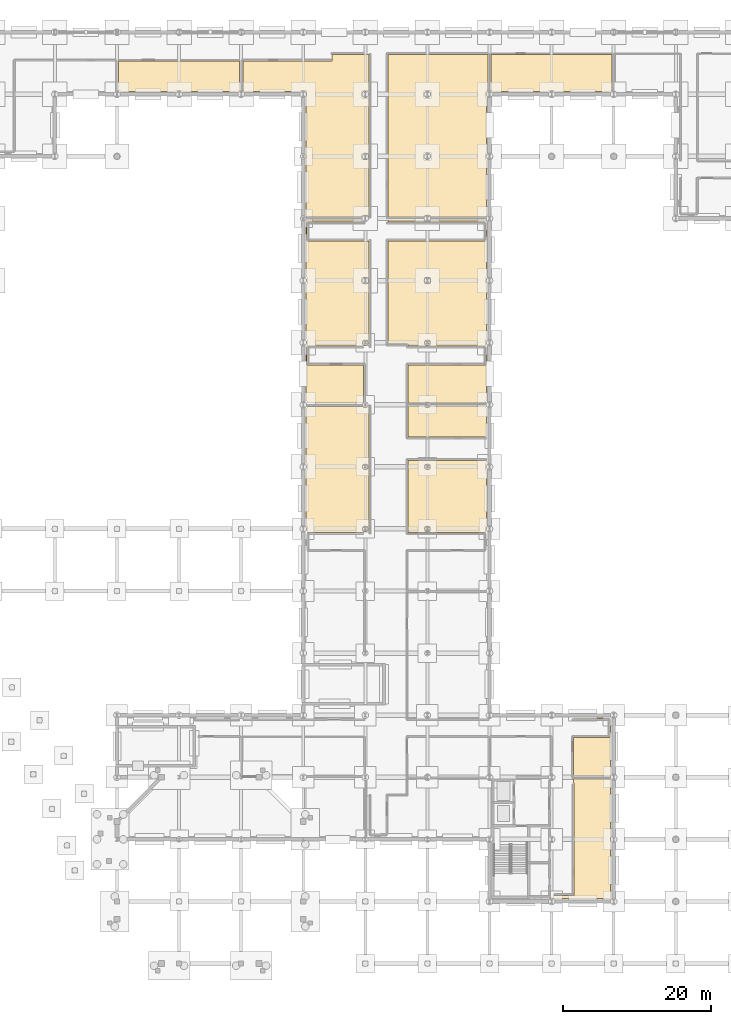
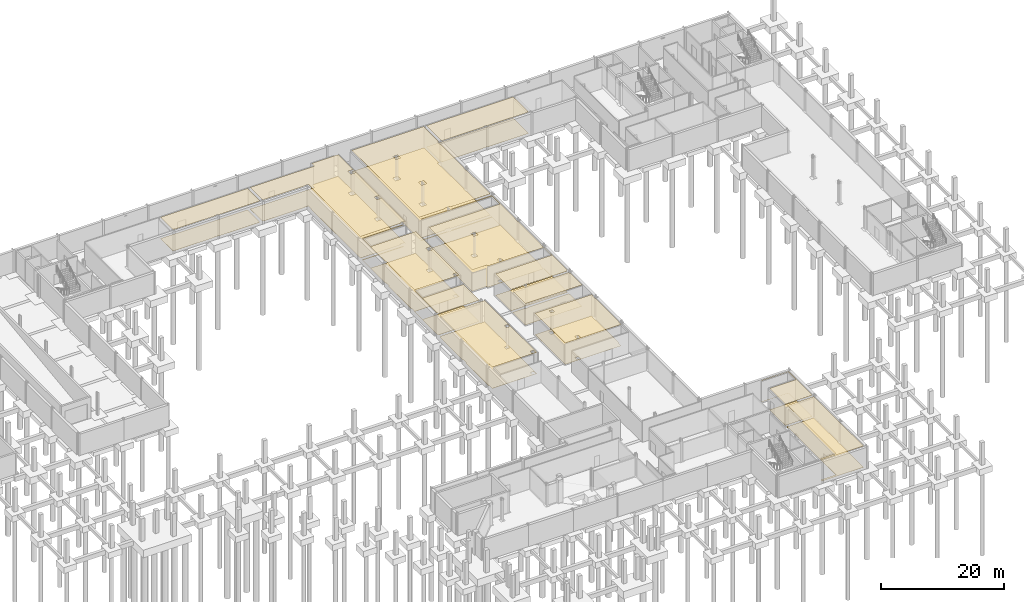
# One storey, part 39 of 43: 26 coverings.
"""IFC4 building model written with IfcOpenShell, lengths in metres."""

from ifc_helpers import new_model, si_unit, direction, frame, origin, place, context, subcontext, project, spatial, polyline, outline, extrude, material, layer, layer_set, type_object, element, save


model = new_model("IFC4")

# Units and contexts
model_context = context("Model", 3, precision=1e-05, world=origin(), true_north=direction((0.0, 1.0)))
body_context = subcontext(model_context, "Body", "Model", "MODEL_VIEW")
ifc_project = project(units=[si_unit("LENGTHUNIT", "METRE"), si_unit("AREAUNIT", "SQUARE_METRE"), si_unit("VOLUMEUNIT", "CUBIC_METRE"), si_unit("PLANEANGLEUNIT", "RADIAN"), si_unit("MASSUNIT", "GRAM", prefix="KILO")], contexts=[model_context])

# Site, building, storey
site_placement = place(None, origin())
site = spatial("IfcSite", under=ifc_project, at=site_placement, CompositionType="ELEMENT")
building_placement = place(site_placement, origin())
building = spatial("IfcBuilding", under=site, at=building_placement, Name="Mersafa Astral City Hall", CompositionType="ELEMENT")
storey_placement = place(building_placement, frame((0.0, 0.0, -4.5)))
storey = spatial("IfcBuildingStorey", under=building, at=storey_placement, Name="B1", CompositionType="ELEMENT", Elevation=-4.5)

# Coverings
ifc_material_1 = material(Name="Perforated acoustic gypsum board ceiling", Category="gypsum")
ifc_layer_1 = layer(ifc_material_1, 0.02490234375, Name="Perforated acoustic gypsum board ceiling")
ifc_layer_set_1 = layer_set([ifc_layer_1], Name="Perforated acoustic gypsum board ceiling — INT-COV-CEIL-25")
covering_type_1 = type_object("IfcCoveringType", Name="INT-COV-CEIL-25", PredefinedType="CEILING", material=ifc_layer_set_1)
covering_1_placement = place(storey_placement, frame((0.0, 0.0, 4.23095703125)))
element("IfcCovering", 1, at=covering_1_placement, inside=storey, type_object=covering_type_1, Name="B1 Central Archive Stack B1-01 acoustic ceiling", PredefinedType="CEILING", context=body_context, shape_type="SweptSolid", body=[
    extrude(outline(polyline([(117.179931640625, 101.219970703125), (117.179931640625, 101.030029296875), (109.6201171875, 101.030029296875), (109.6201171875, 101.219970703125), (108.780029296875, 101.219970703125), (108.780029296875, 101.030029296875), (103.840087890625, 101.030029296875), (103.840087890625, 122.9599609375), (117.3701171875, 122.9599609375), (117.3701171875, 118.070068359375), (117.1298828125, 118.070068359375), (117.1298828125, 117.1298828125), (117.199951171875, 117.1298828125), (117.199951171875, 109.669921875), (117.1298828125, 109.669921875), (117.1298828125, 108.72998046875), (117.199951171875, 108.72998046875), (117.199951171875, 101.219970703125), (117.179931640625, 101.219970703125)]), holes=[polyline([(108.72998046875, 108.72998046875), (109.669921875, 108.72998046875), (109.669921875, 109.669921875), (108.72998046875, 109.669921875), (108.72998046875, 108.72998046875)]), polyline([(108.72998046875, 117.1298828125), (109.669921875, 117.1298828125), (109.669921875, 118.070068359375), (108.72998046875, 118.070068359375), (108.72998046875, 117.1298828125)])]), origin(), (0.0, 0.0, 1.0), 0.025146484375),
])
covering_2_placement = place(storey_placement, frame((0.0, 0.0, 4.23095703125)))
element("IfcCovering", 2, at=covering_2_placement, inside=storey, type_object=covering_type_1, Name="B1 Compact Shelving Vault B1-02 acoustic ceiling", PredefinedType="CEILING", context=body_context, shape_type="SweptSolid", body=[
    extrude(outline(polyline([(106.570068359375, 75.830078125), (106.570068359375, 80.9599609375), (117.1201171875, 80.9599609375), (117.1201171875, 83.5048828125), (117.199951171875, 83.5048828125), (117.199951171875, 76.094970703125), (117.10498046875, 76.094970703125), (117.10498046875, 75.830078125), (109.52001953125, 75.830078125), (109.52001953125, 75.919921875), (108.8798828125, 75.919921875), (108.8798828125, 75.830078125), (106.570068359375, 75.830078125)])), origin(), (0.0, 0.0, 1.0), 0.025146484375),
])
covering_3_placement = place(storey_placement, frame((0.0, 0.0, 4.23095703125)))
element("IfcCovering", 3, at=covering_3_placement, inside=storey, type_object=covering_type_1, Name="B1 Compact Shelving Vault B1-02 acoustic ceiling", PredefinedType="CEILING", context=body_context, shape_type="SweptSolid", body=[
    extrude(outline(polyline([(106.570068359375, 83.52001953125), (106.570068359375, 83.81005859375), (103.840087890625, 83.81005859375), (103.840087890625, 97.760009765625), (117.1201171875, 97.760009765625), (117.1201171875, 100.320068359375), (103.840087890625, 100.320068359375), (103.840087890625, 100.570068359375), (108.780029296875, 100.570068359375), (108.780029296875, 100.3798828125), (109.6201171875, 100.3798828125), (109.6201171875, 100.570068359375), (117.179931640625, 100.570068359375), (117.179931640625, 100.3798828125), (117.199951171875, 100.3798828125), (117.199951171875, 92.89501953125), (117.10498046875, 92.89501953125), (117.10498046875, 91.905029296875), (117.199951171875, 91.905029296875), (117.199951171875, 84.4951171875), (117.10498046875, 84.4951171875), (117.10498046875, 83.52001953125), (106.570068359375, 83.52001953125)]), holes=[polyline([(108.780029296875, 91.97998046875), (109.6201171875, 91.97998046875), (109.6201171875, 92.820068359375), (108.780029296875, 92.820068359375), (108.780029296875, 91.97998046875)]), polyline([(108.8798828125, 83.679931640625), (109.52001953125, 83.679931640625), (109.52001953125, 84.320068359375), (108.8798828125, 84.320068359375), (108.8798828125, 83.679931640625)])]), origin(), (0.0, 0.0, 1.0), 0.025146484375),
])
covering_4_placement = place(storey_placement, frame((0.0, 0.0, 4.281005859375)))
element("IfcCovering", 4, at=covering_4_placement, inside=storey, type_object=covering_type_1, Name="B1 Municipal Deeds Repository B1-03 acoustic ceiling", PredefinedType="CEILING", context=body_context, shape_type="SweptSolid", body=[
    extrude(outline(polyline([(84.469970703125, 118.070068359375), (84.22998046875, 118.070068359375), (84.22998046875, 122.080078125), (96.320068359375, 122.080078125), (96.320068359375, 122.9599609375), (101.280029296875, 122.9599609375), (101.280029296875, 101.030029296875), (101.219970703125, 101.030029296875), (101.219970703125, 101.219970703125), (100.3798828125, 101.219970703125), (100.3798828125, 101.030029296875), (92.800048828125, 101.030029296875), (92.800048828125, 117.1298828125), (92.8701171875, 117.1298828125), (92.8701171875, 118.070068359375), (91.929931640625, 118.070068359375), (91.929931640625, 118.0), (84.469970703125, 118.0), (84.469970703125, 118.070068359375)]), holes=[polyline([(100.330078125, 117.1298828125), (101.27001953125, 117.1298828125), (101.27001953125, 118.070068359375), (100.330078125, 118.070068359375), (100.330078125, 117.1298828125)]), polyline([(100.3798828125, 108.780029296875), (101.219970703125, 108.780029296875), (101.219970703125, 109.6201171875), (100.3798828125, 109.6201171875), (100.3798828125, 108.780029296875)])]), origin(), (0.0, 0.0, 1.0), 0.02490234375),
])
covering_5_placement = place(storey_placement, frame((0.0, 0.0, 4.23095703125)))
element("IfcCovering", 5, at=covering_5_placement, inside=storey, type_object=covering_type_1, Name="B1 Mechanical Chiller Plant Room B1-05 acoustic ceiling", PredefinedType="CEILING", context=body_context, shape_type="SweptSolid", body=[
    extrude(outline(polyline([(92.89501953125, 59.294921875), (92.800048828125, 59.294921875), (92.800048828125, 66.705078125), (92.89501953125, 66.705078125), (92.89501953125, 67.695068359375), (92.800048828125, 67.695068359375), (92.800048828125, 75.10498046875), (92.89501953125, 75.10498046875), (92.89501953125, 75.3701171875), (100.47998046875, 75.3701171875), (100.47998046875, 75.280029296875), (101.1201171875, 75.280029296875), (101.1201171875, 75.3701171875), (101.280029296875, 75.3701171875), (101.280029296875, 58.320068359375), (92.89501953125, 58.320068359375), (92.89501953125, 59.294921875)]), holes=[polyline([(100.47998046875, 58.47998046875), (101.1201171875, 58.47998046875), (101.1201171875, 59.1201171875), (100.47998046875, 59.1201171875), (100.47998046875, 58.47998046875)]), polyline([(100.47998046875, 66.8798828125), (101.1201171875, 66.8798828125), (101.1201171875, 67.52001953125), (100.47998046875, 67.52001953125), (100.47998046875, 66.8798828125)])]), origin(), (0.0, 0.0, 1.0), 0.025146484375),
])
covering_6_placement = place(storey_placement, frame((0.0, 0.0, 4.23095703125)))
element("IfcCovering", 6, at=covering_6_placement, inside=storey, type_object=covering_type_1, Name="B1 Electrical Substation Room B1-06 acoustic ceiling", PredefinedType="CEILING", context=body_context, shape_type="SweptSolid", body=[
    extrude(outline(polyline([(106.570068359375, 58.320068359375), (106.570068359375, 68.070068359375), (117.199951171875, 68.070068359375), (117.199951171875, 67.695068359375), (117.10498046875, 67.695068359375), (117.10498046875, 66.705078125), (117.199951171875, 66.705078125), (117.199951171875, 59.294921875), (117.10498046875, 59.294921875), (117.10498046875, 58.320068359375), (106.570068359375, 58.320068359375)]), holes=[polyline([(108.8798828125, 58.47998046875), (109.52001953125, 58.47998046875), (109.52001953125, 59.1201171875), (108.8798828125, 59.1201171875), (108.8798828125, 58.47998046875)]), polyline([(108.8798828125, 66.8798828125), (109.52001953125, 66.8798828125), (109.52001953125, 67.52001953125), (108.8798828125, 67.52001953125), (108.8798828125, 66.8798828125)])]), origin(), (0.0, 0.0, 1.0), 0.025146484375),
])
covering_7_placement = place(storey_placement, frame((0.0, 0.0, 4.23095703125)))
element("IfcCovering", 7, at=covering_7_placement, inside=storey, type_object=covering_type_1, Name="B1 Fire Pump Room B1-07 acoustic ceiling", PredefinedType="CEILING", context=body_context, shape_type="SweptSolid", body=[
    extrude(outline(polyline([(92.800048828125, 83.5048828125), (92.8798828125, 83.5048828125), (92.8798828125, 80.9599609375), (100.570068359375, 80.9599609375), (100.570068359375, 75.919921875), (100.47998046875, 75.919921875), (100.47998046875, 75.830078125), (92.89501953125, 75.830078125), (92.89501953125, 76.094970703125), (92.800048828125, 76.094970703125), (92.800048828125, 83.5048828125)])), origin(), (0.0, 0.0, 1.0), 0.025146484375),
])
covering_8_placement = place(storey_placement, frame((0.0, 0.0, 4.281005859375)))
element("IfcCovering", 8, at=covering_8_placement, inside=storey, type_object=covering_type_1, Name="B1 Fire Pump Room B1-07 acoustic ceiling", PredefinedType="CEILING", context=body_context, shape_type="SweptSolid", body=[
    extrude(outline(polyline([(92.89501953125, 84.4951171875), (92.800048828125, 84.4951171875), (92.800048828125, 91.905029296875), (92.89501953125, 91.905029296875), (92.89501953125, 92.89501953125), (92.800048828125, 92.89501953125), (92.800048828125, 100.570068359375), (100.3798828125, 100.570068359375), (100.3798828125, 100.3798828125), (100.570068359375, 100.3798828125), (100.570068359375, 100.320068359375), (92.8798828125, 100.320068359375), (92.8798828125, 97.760009765625), (101.280029296875, 97.760009765625), (101.280029296875, 83.52001953125), (92.89501953125, 83.52001953125), (92.89501953125, 84.4951171875)]), holes=[polyline([(100.3798828125, 92.820068359375), (100.3798828125, 91.97998046875), (101.219970703125, 91.97998046875), (101.219970703125, 92.820068359375), (100.3798828125, 92.820068359375)]), polyline([(100.47998046875, 83.679931640625), (101.1201171875, 83.679931640625), (101.1201171875, 84.320068359375), (100.47998046875, 84.320068359375), (100.47998046875, 83.679931640625)])]), origin(), (0.0, 0.0, 1.0), 0.02490234375),
])
covering_9_placement = place(storey_placement, frame((0.0, 0.0, 4.23095703125)))
element("IfcCovering", 9, at=covering_9_placement, inside=storey, type_object=covering_type_1, Name="B1 Municipal Records Conservation Workshop B1-11 acoustic ceiling", PredefinedType="CEILING", context=body_context, shape_type="SweptSolid", body=[
    extrude(outline(polyline([(126.419921875, 8.820068359375), (126.159912109375, 8.820068359375), (126.159912109375, 9.179931640625), (129.0400390625, 9.179931640625), (129.0400390625, 24.419921875), (128.93994140625, 24.419921875), (128.93994140625, 24.969970703125), (133.97998046875, 24.969970703125), (133.97998046875, 24.780029296875), (134.0, 24.780029296875), (134.0, 17.219970703125), (133.97998046875, 17.219970703125), (133.97998046875, 16.3798828125), (134.0, 16.3798828125), (134.0, 8.820068359375), (133.97998046875, 8.820068359375), (133.97998046875, 8.800048828125), (126.419921875, 8.800048828125), (126.419921875, 8.820068359375)])), origin(), (0.0, 0.0, 1.0), 0.025146484375),
])
covering_10_placement = place(storey_placement, frame((0.0, 0.0, 4.23095703125)))
element("IfcCovering", 10, at=covering_10_placement, inside=storey, type_object=covering_type_1, Name="B1 Central Mail & Courier Sorting Room B1-12 acoustic ceiling", PredefinedType="CEILING", context=body_context, shape_type="SweptSolid", body=[
    extrude(outline(polyline([(134.169921875, 122.9599609375), (134.169921875, 118.070068359375), (133.929931640625, 118.070068359375), (133.929931640625, 118.0), (126.469970703125, 118.0), (126.469970703125, 118.070068359375), (125.530029296875, 118.070068359375), (125.530029296875, 118.0), (118.070068359375, 118.0), (118.070068359375, 118.070068359375), (117.830078125, 118.070068359375), (117.830078125, 122.9599609375), (134.169921875, 122.9599609375)])), origin(), (0.0, 0.0, 1.0), 0.025146484375),
])
covering_11_placement = place(storey_placement, frame((0.0, 0.0, 4.23095703125)))
element("IfcCovering", 11, at=covering_11_placement, inside=storey, type_object=covering_type_1, Name="B1 Logistics Bay B1-16 acoustic ceiling", PredefinedType="CEILING", context=body_context, shape_type="SweptSolid", body=[
    extrude(outline(polyline([(83.77001953125, 122.080078125), (83.77001953125, 118.070068359375), (83.530029296875, 118.070068359375), (83.530029296875, 118.0), (76.070068359375, 118.0), (76.070068359375, 118.070068359375), (75.1298828125, 118.070068359375), (75.1298828125, 118.0), (67.669921875, 118.0), (67.669921875, 118.070068359375), (67.429931640625, 118.070068359375), (67.429931640625, 122.080078125), (83.77001953125, 122.080078125)])), origin(), (0.0, 0.0, 1.0), 0.025146484375),
])
covering_12_placement = place(storey_placement, frame((0.0, 0.0, 4.23095703125)))
element("IfcCovering", 12, at=covering_12_placement, inside=storey, type_object=covering_type_1, Name="B1 Fire Pump Room B1-19 acoustic ceiling", PredefinedType="CEILING", context=body_context, shape_type="SweptSolid", body=[
    extrude(outline(polyline([(106.570068359375, 75.3701171875), (108.8798828125, 75.3701171875), (108.8798828125, 75.280029296875), (109.52001953125, 75.280029296875), (109.52001953125, 75.3701171875), (117.10498046875, 75.3701171875), (117.10498046875, 75.10498046875), (117.199951171875, 75.10498046875), (117.199951171875, 71.2099609375), (106.570068359375, 71.2099609375), (106.570068359375, 75.3701171875)])), origin(), (0.0, 0.0, 1.0), 0.025146484375),
])
covering_13_placement = place(storey_placement, frame((0.0, 0.0, 4.23095703125)))
element("IfcCovering", 13, at=covering_13_placement, inside=storey, type_object=covering_type_1, Name="B1 Municipal Records Conservation Workshop B1-23 acoustic ceiling", PredefinedType="CEILING", context=body_context, shape_type="SweptSolid", body=[
    extrude(outline(polyline([(128.93994140625, 30.56005859375), (133.919921875, 30.56005859375), (133.919921875, 33.1201171875), (128.93994140625, 33.1201171875), (128.93994140625, 33.199951171875), (133.97998046875, 33.199951171875), (133.97998046875, 33.179931640625), (134.0, 33.179931640625), (134.0, 25.6201171875), (133.97998046875, 25.6201171875), (133.97998046875, 25.429931640625), (128.93994140625, 25.429931640625), (128.93994140625, 30.56005859375)])), origin(), (0.0, 0.0, 1.0), 0.025146484375),
])
ifc_material_2 = material(Name="Honed Cairo limestone terrazzo flooring", Category="masonry")
ifc_layer_2 = layer(ifc_material_2, 0.02001953125, Name="Honed Cairo limestone terrazzo flooring")
ifc_layer_set_2 = layer_set([ifc_layer_2], Name="Honed Cairo limestone terrazzo flooring — INT-COV-FLR-20")
covering_type_2 = type_object("IfcCoveringType", Name="INT-COV-FLR-20", PredefinedType="FLOORING", material=ifc_layer_set_2)
covering_14_placement = place(storey_placement, frame((0.0, 0.0, -0.00146484375)))
element("IfcCovering", 14, at=covering_14_placement, inside=storey, type_object=covering_type_2, Name="B1 Central Archive Stack B1-01 architectural flooring", PredefinedType="FLOORING", context=body_context, shape_type="SweptSolid", body=[
    extrude(outline(polyline([(117.179931640625, 101.219970703125), (117.179931640625, 101.030029296875), (109.6201171875, 101.030029296875), (109.6201171875, 101.219970703125), (108.780029296875, 101.219970703125), (108.780029296875, 101.030029296875), (103.840087890625, 101.030029296875), (103.840087890625, 122.9599609375), (117.3701171875, 122.9599609375), (117.3701171875, 118.070068359375), (117.1298828125, 118.070068359375), (117.1298828125, 117.1298828125), (117.199951171875, 117.1298828125), (117.199951171875, 109.669921875), (117.1298828125, 109.669921875), (117.1298828125, 108.72998046875), (117.199951171875, 108.72998046875), (117.199951171875, 101.219970703125), (117.179931640625, 101.219970703125)]), holes=[polyline([(108.72998046875, 108.72998046875), (109.669921875, 108.72998046875), (109.669921875, 109.669921875), (108.72998046875, 109.669921875), (108.72998046875, 108.72998046875)]), polyline([(108.72998046875, 117.1298828125), (109.669921875, 117.1298828125), (109.669921875, 118.070068359375), (108.72998046875, 118.070068359375), (108.72998046875, 117.1298828125)])]), origin(), (0.0, 0.0, 1.0), 0.02001953125),
])
covering_15_placement = place(storey_placement, frame((0.0, 0.0, -0.00146484375)))
element("IfcCovering", 15, at=covering_15_placement, inside=storey, type_object=covering_type_2, Name="B1 Compact Shelving Vault B1-02 architectural flooring", PredefinedType="FLOORING", context=body_context, shape_type="SweptSolid", body=[
    extrude(outline(polyline([(106.570068359375, 75.830078125), (106.570068359375, 80.9599609375), (117.1201171875, 80.9599609375), (117.1201171875, 83.5048828125), (117.199951171875, 83.5048828125), (117.199951171875, 76.094970703125), (117.10498046875, 76.094970703125), (117.10498046875, 75.830078125), (109.52001953125, 75.830078125), (109.52001953125, 75.919921875), (108.8798828125, 75.919921875), (108.8798828125, 75.830078125), (106.570068359375, 75.830078125)])), origin(), (0.0, 0.0, 1.0), 0.02001953125),
])
covering_16_placement = place(storey_placement, frame((0.0, 0.0, -0.00146484375)))
element("IfcCovering", 16, at=covering_16_placement, inside=storey, type_object=covering_type_2, Name="B1 Compact Shelving Vault B1-02 architectural flooring", PredefinedType="FLOORING", context=body_context, shape_type="SweptSolid", body=[
    extrude(outline(polyline([(106.570068359375, 83.52001953125), (106.570068359375, 83.81005859375), (103.840087890625, 83.81005859375), (103.840087890625, 97.760009765625), (117.1201171875, 97.760009765625), (117.1201171875, 100.320068359375), (103.840087890625, 100.320068359375), (103.840087890625, 100.570068359375), (108.780029296875, 100.570068359375), (108.780029296875, 100.3798828125), (109.6201171875, 100.3798828125), (109.6201171875, 100.570068359375), (117.179931640625, 100.570068359375), (117.179931640625, 100.3798828125), (117.199951171875, 100.3798828125), (117.199951171875, 92.89501953125), (117.10498046875, 92.89501953125), (117.10498046875, 91.905029296875), (117.199951171875, 91.905029296875), (117.199951171875, 84.4951171875), (117.10498046875, 84.4951171875), (117.10498046875, 83.52001953125), (106.570068359375, 83.52001953125)]), holes=[polyline([(108.780029296875, 91.97998046875), (109.6201171875, 91.97998046875), (109.6201171875, 92.820068359375), (108.780029296875, 92.820068359375), (108.780029296875, 91.97998046875)]), polyline([(108.8798828125, 83.679931640625), (109.52001953125, 83.679931640625), (109.52001953125, 84.320068359375), (108.8798828125, 84.320068359375), (108.8798828125, 83.679931640625)])]), origin(), (0.0, 0.0, 1.0), 0.02001953125),
])
covering_17_placement = place(storey_placement, frame((0.0, 0.0, -0.00146484375)))
element("IfcCovering", 17, at=covering_17_placement, inside=storey, type_object=covering_type_2, Name="B1 Municipal Deeds Repository B1-03 architectural flooring", PredefinedType="FLOORING", context=body_context, shape_type="SweptSolid", body=[
    extrude(outline(polyline([(84.469970703125, 118.070068359375), (84.22998046875, 118.070068359375), (84.22998046875, 122.080078125), (96.320068359375, 122.080078125), (96.320068359375, 122.9599609375), (101.280029296875, 122.9599609375), (101.280029296875, 101.030029296875), (101.219970703125, 101.030029296875), (101.219970703125, 101.219970703125), (100.3798828125, 101.219970703125), (100.3798828125, 101.030029296875), (92.800048828125, 101.030029296875), (92.800048828125, 117.1298828125), (92.8701171875, 117.1298828125), (92.8701171875, 118.070068359375), (91.929931640625, 118.070068359375), (91.929931640625, 118.0), (84.469970703125, 118.0), (84.469970703125, 118.070068359375)]), holes=[polyline([(100.330078125, 117.1298828125), (101.27001953125, 117.1298828125), (101.27001953125, 118.070068359375), (100.330078125, 118.070068359375), (100.330078125, 117.1298828125)]), polyline([(100.3798828125, 108.780029296875), (101.219970703125, 108.780029296875), (101.219970703125, 109.6201171875), (100.3798828125, 109.6201171875), (100.3798828125, 108.780029296875)])]), origin(), (0.0, 0.0, 1.0), 0.02001953125),
])
covering_18_placement = place(storey_placement, frame((0.0, 0.0, -0.00146484375)))
element("IfcCovering", 18, at=covering_18_placement, inside=storey, type_object=covering_type_2, Name="B1 Mechanical Chiller Plant Room B1-05 architectural flooring", PredefinedType="FLOORING", context=body_context, shape_type="SweptSolid", body=[
    extrude(outline(polyline([(92.89501953125, 59.294921875), (92.800048828125, 59.294921875), (92.800048828125, 66.705078125), (92.89501953125, 66.705078125), (92.89501953125, 67.695068359375), (92.800048828125, 67.695068359375), (92.800048828125, 75.10498046875), (92.89501953125, 75.10498046875), (92.89501953125, 75.3701171875), (100.47998046875, 75.3701171875), (100.47998046875, 75.280029296875), (101.1201171875, 75.280029296875), (101.1201171875, 75.3701171875), (101.280029296875, 75.3701171875), (101.280029296875, 58.320068359375), (92.89501953125, 58.320068359375), (92.89501953125, 59.294921875)]), holes=[polyline([(100.47998046875, 58.47998046875), (101.1201171875, 58.47998046875), (101.1201171875, 59.1201171875), (100.47998046875, 59.1201171875), (100.47998046875, 58.47998046875)]), polyline([(100.47998046875, 66.8798828125), (101.1201171875, 66.8798828125), (101.1201171875, 67.52001953125), (100.47998046875, 67.52001953125), (100.47998046875, 66.8798828125)])]), origin(), (0.0, 0.0, 1.0), 0.02001953125),
])
covering_19_placement = place(storey_placement, frame((0.0, 0.0, -0.00146484375)))
element("IfcCovering", 19, at=covering_19_placement, inside=storey, type_object=covering_type_2, Name="B1 Electrical Substation Room B1-06 architectural flooring", PredefinedType="FLOORING", context=body_context, shape_type="SweptSolid", body=[
    extrude(outline(polyline([(106.570068359375, 58.320068359375), (106.570068359375, 68.070068359375), (117.199951171875, 68.070068359375), (117.199951171875, 67.695068359375), (117.10498046875, 67.695068359375), (117.10498046875, 66.705078125), (117.199951171875, 66.705078125), (117.199951171875, 59.294921875), (117.10498046875, 59.294921875), (117.10498046875, 58.320068359375), (106.570068359375, 58.320068359375)]), holes=[polyline([(108.8798828125, 58.47998046875), (109.52001953125, 58.47998046875), (109.52001953125, 59.1201171875), (108.8798828125, 59.1201171875), (108.8798828125, 58.47998046875)]), polyline([(108.8798828125, 66.8798828125), (109.52001953125, 66.8798828125), (109.52001953125, 67.52001953125), (108.8798828125, 67.52001953125), (108.8798828125, 66.8798828125)])]), origin(), (0.0, 0.0, 1.0), 0.02001953125),
])
covering_20_placement = place(storey_placement, frame((0.0, 0.0, -0.00146484375)))
element("IfcCovering", 20, at=covering_20_placement, inside=storey, type_object=covering_type_2, Name="B1 Fire Pump Room B1-07 architectural flooring", PredefinedType="FLOORING", context=body_context, shape_type="SweptSolid", body=[
    extrude(outline(polyline([(92.800048828125, 83.5048828125), (92.8798828125, 83.5048828125), (92.8798828125, 80.9599609375), (100.570068359375, 80.9599609375), (100.570068359375, 75.919921875), (100.47998046875, 75.919921875), (100.47998046875, 75.830078125), (92.89501953125, 75.830078125), (92.89501953125, 76.094970703125), (92.800048828125, 76.094970703125), (92.800048828125, 83.5048828125)])), origin(), (0.0, 0.0, 1.0), 0.02001953125),
])
covering_21_placement = place(storey_placement, frame((0.0, 0.0, -0.00146484375)))
element("IfcCovering", 21, at=covering_21_placement, inside=storey, type_object=covering_type_2, Name="B1 Fire Pump Room B1-07 architectural flooring", PredefinedType="FLOORING", context=body_context, shape_type="SweptSolid", body=[
    extrude(outline(polyline([(92.89501953125, 84.4951171875), (92.800048828125, 84.4951171875), (92.800048828125, 91.905029296875), (92.89501953125, 91.905029296875), (92.89501953125, 92.89501953125), (92.800048828125, 92.89501953125), (92.800048828125, 100.570068359375), (100.3798828125, 100.570068359375), (100.3798828125, 100.3798828125), (100.570068359375, 100.3798828125), (100.570068359375, 100.320068359375), (92.8798828125, 100.320068359375), (92.8798828125, 97.760009765625), (101.280029296875, 97.760009765625), (101.280029296875, 83.52001953125), (92.89501953125, 83.52001953125), (92.89501953125, 84.4951171875)]), holes=[polyline([(100.3798828125, 92.820068359375), (100.3798828125, 91.97998046875), (101.219970703125, 91.97998046875), (101.219970703125, 92.820068359375), (100.3798828125, 92.820068359375)]), polyline([(100.47998046875, 83.679931640625), (101.1201171875, 83.679931640625), (101.1201171875, 84.320068359375), (100.47998046875, 84.320068359375), (100.47998046875, 83.679931640625)])]), origin(), (0.0, 0.0, 1.0), 0.02001953125),
])
covering_22_placement = place(storey_placement, frame((0.0, 0.0, -0.00146484375)))
element("IfcCovering", 22, at=covering_22_placement, inside=storey, type_object=covering_type_2, Name="B1 Municipal Records Conservation Workshop B1-11 architectural flooring", PredefinedType="FLOORING", context=body_context, shape_type="SweptSolid", body=[
    extrude(outline(polyline([(126.419921875, 8.820068359375), (126.159912109375, 8.820068359375), (126.159912109375, 9.179931640625), (129.0400390625, 9.179931640625), (129.0400390625, 24.419921875), (128.93994140625, 24.419921875), (128.93994140625, 24.969970703125), (133.97998046875, 24.969970703125), (133.97998046875, 24.780029296875), (134.0, 24.780029296875), (134.0, 17.219970703125), (133.97998046875, 17.219970703125), (133.97998046875, 16.3798828125), (134.0, 16.3798828125), (134.0, 8.820068359375), (133.97998046875, 8.820068359375), (133.97998046875, 8.800048828125), (126.419921875, 8.800048828125), (126.419921875, 8.820068359375)])), origin(), (0.0, 0.0, 1.0), 0.02001953125),
])
covering_23_placement = place(storey_placement, frame((0.0, 0.0, -0.00146484375)))
element("IfcCovering", 23, at=covering_23_placement, inside=storey, type_object=covering_type_2, Name="B1 Central Mail & Courier Sorting Room B1-12 architectural flooring", PredefinedType="FLOORING", context=body_context, shape_type="SweptSolid", body=[
    extrude(outline(polyline([(134.169921875, 122.9599609375), (134.169921875, 118.070068359375), (133.929931640625, 118.070068359375), (133.929931640625, 118.0), (126.469970703125, 118.0), (126.469970703125, 118.070068359375), (125.530029296875, 118.070068359375), (125.530029296875, 118.0), (118.070068359375, 118.0), (118.070068359375, 118.070068359375), (117.830078125, 118.070068359375), (117.830078125, 122.9599609375), (134.169921875, 122.9599609375)])), origin(), (0.0, 0.0, 1.0), 0.02001953125),
])
covering_24_placement = place(storey_placement, frame((0.0, 0.0, -0.00146484375)))
element("IfcCovering", 24, at=covering_24_placement, inside=storey, type_object=covering_type_2, Name="B1 Logistics Bay B1-16 architectural flooring", PredefinedType="FLOORING", context=body_context, shape_type="SweptSolid", body=[
    extrude(outline(polyline([(83.77001953125, 122.080078125), (83.77001953125, 118.070068359375), (83.530029296875, 118.070068359375), (83.530029296875, 118.0), (76.070068359375, 118.0), (76.070068359375, 118.070068359375), (75.1298828125, 118.070068359375), (75.1298828125, 118.0), (67.669921875, 118.0), (67.669921875, 118.070068359375), (67.429931640625, 118.070068359375), (67.429931640625, 122.080078125), (83.77001953125, 122.080078125)])), origin(), (0.0, 0.0, 1.0), 0.02001953125),
])
covering_25_placement = place(storey_placement, frame((0.0, 0.0, -0.00146484375)))
element("IfcCovering", 25, at=covering_25_placement, inside=storey, type_object=covering_type_2, Name="B1 Fire Pump Room B1-19 architectural flooring", PredefinedType="FLOORING", context=body_context, shape_type="SweptSolid", body=[
    extrude(outline(polyline([(106.570068359375, 75.3701171875), (108.8798828125, 75.3701171875), (108.8798828125, 75.280029296875), (109.52001953125, 75.280029296875), (109.52001953125, 75.3701171875), (117.10498046875, 75.3701171875), (117.10498046875, 75.10498046875), (117.199951171875, 75.10498046875), (117.199951171875, 71.2099609375), (106.570068359375, 71.2099609375), (106.570068359375, 75.3701171875)])), origin(), (0.0, 0.0, 1.0), 0.02001953125),
])
covering_26_placement = place(storey_placement, frame((0.0, 0.0, -0.00146484375)))
element("IfcCovering", 26, at=covering_26_placement, inside=storey, type_object=covering_type_2, Name="B1 Municipal Records Conservation Workshop B1-23 architectural flooring", PredefinedType="FLOORING", context=body_context, shape_type="SweptSolid", body=[
    extrude(outline(polyline([(128.93994140625, 30.56005859375), (133.919921875, 30.56005859375), (133.919921875, 33.1201171875), (128.93994140625, 33.1201171875), (128.93994140625, 33.199951171875), (133.97998046875, 33.199951171875), (133.97998046875, 33.179931640625), (134.0, 33.179931640625), (134.0, 25.6201171875), (133.97998046875, 25.6201171875), (133.97998046875, 25.429931640625), (128.93994140625, 25.429931640625), (128.93994140625, 30.56005859375)])), origin(), (0.0, 0.0, 1.0), 0.02001953125),
])

save(model, "model.ifc")
